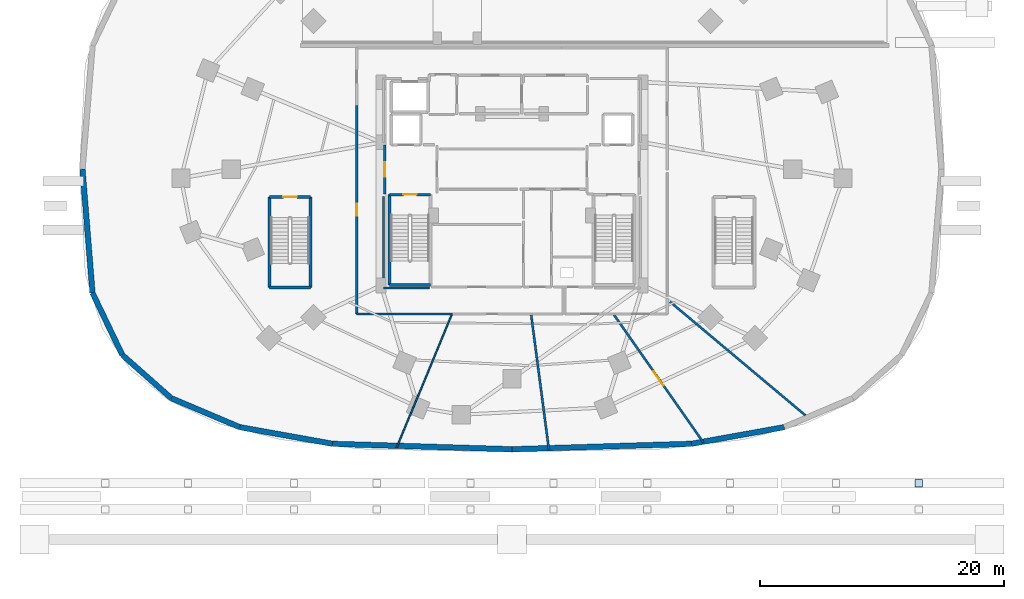
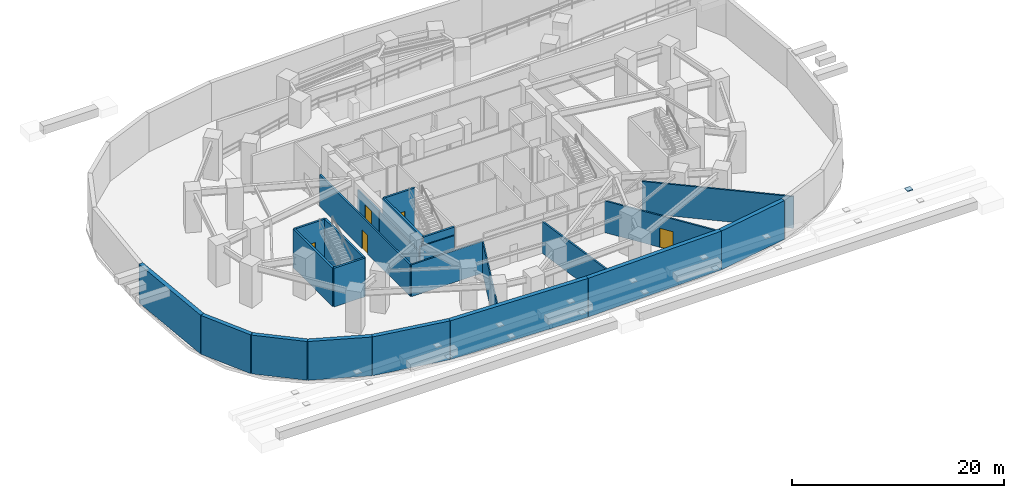
# One storey, part 3 of 8: 24 walls, 5 doors, 1 plate, 5 openings.
"""IFC4 building model written with IfcOpenShell, lengths in metres."""

from ifc_helpers import new_model, si_unit, direction, frame, frame_2d, origin, origin_2d, place, context, subcontext, project, spatial, rectangle, extrude, material, layer, layer_set, type_object, element, fill, save


model = new_model("IFC4")

# Units and contexts
model_context = context("Model", 3, precision=1e-05, world=origin(), true_north=direction((0.0, 1.0)))
body_context = subcontext(model_context, "Body", "Model", "MODEL_VIEW")
ifc_project = project(units=[si_unit("LENGTHUNIT", "METRE"), si_unit("AREAUNIT", "SQUARE_METRE"), si_unit("VOLUMEUNIT", "CUBIC_METRE"), si_unit("PLANEANGLEUNIT", "RADIAN"), si_unit("MASSUNIT", "GRAM", prefix="KILO")], contexts=[model_context])

# Site, building, storey
site_placement = place(None, origin())
site = spatial("IfcSite", under=ifc_project, at=site_placement, CompositionType="ELEMENT")
building_placement = place(site_placement, origin())
building = spatial("IfcBuilding", under=site, at=building_placement, Name="Vorneva Point Tower", CompositionType="ELEMENT")
storey_placement = place(building_placement, frame((0.0, 0.0, -4.800048828125)))
storey = spatial("IfcBuildingStorey", under=building, at=storey_placement, Name="B01", CompositionType="ELEMENT", Elevation=-4.800048828125)

# Plate
ifc_material_1 = material(Name="Steel S355", Category="steel")
ifc_layer_1 = layer(ifc_material_1, 0.02392578125)
ifc_layer_set_1 = layer_set([ifc_layer_1], Name="Steel S355")
plate_type = type_object("IfcPlateType", Name="PLT-CAP-EXT", PredefinedType="USERDEFINED", material=ifc_layer_set_1)
plate_placement = place(storey_placement, frame((71.39990234375, 0.199951171875, 4.5419921875), z_axis=(0.0, 0.0, 1.0), x_axis=(1.0, 0.0, 0.0)))
element("IfcPlate", 1, at=plate_placement, inside=storey, type_object=plate_type, Name="Waterfront Promenade Canopy CAN-05 Post 3 end closure plate 1", ObjectType="BASE PLATE", PredefinedType="USERDEFINED", context=body_context, shape_type="SweptSolid", body=[
    extrude(rectangle(XDim=0.60009765625, YDim=0.60009765625, at=origin_2d()), origin(), (0.0, 0.0, 1.0), 0.095947265625),
])

# Walls
ifc_material_2 = material(Name="Fire-rated acoustic gypsum stud partition", Category="gypsum")
ifc_layer_2 = layer(ifc_material_2, 0.125)
ifc_layer_set_2 = layer_set([ifc_layer_2], Name="Fire-rated acoustic gypsum stud partition")
wall_type_1 = type_object("IfcWallType", Name="WL-PART-125", PredefinedType="PARTITIONING", material=ifc_layer_set_2)
wall_1_placement = place(storey_placement, frame((28.513916015625, 3.097900390625, 0.0), z_axis=(0.0, 0.0, 1.0), x_axis=(0.382674084686, 0.923883404391, 0.0)))
element("IfcWall", 2, at=wall_1_placement, inside=storey, type_object=wall_type_1, Name="B01 Interior Partition 036", PredefinedType="PARTITIONING", context=body_context, shape_type="SweptSolid", body=[
    extrude(rectangle(XDim=11.90869140625, YDim=0.125, at=frame_2d((5.954345703125, 0.0))), origin(), (0.0, 0.0, 1.0), 3.652099609375),
])
ifc_layer_3 = layer(ifc_material_2, 0.139892578125)
ifc_layer_set_3 = layer_set([ifc_layer_3], Name="Fire-rated acoustic gypsum stud partition")
wall_type_2 = type_object("IfcWallType", Name="WL-PART-140", PredefinedType="PARTITIONING", material=ifc_layer_set_3)
wall_2_placement = place(storey_placement, frame((31.195068359375, 16.239990234375, 0.0), z_axis=(0.0, 0.0, 1.0), x_axis=(-1.0, 0.0, 0.0)))
element("IfcWall", 3, at=wall_2_placement, inside=storey, type_object=wall_type_2, Name="B01 Interior Closure Partition 054", PredefinedType="PARTITIONING", context=body_context, shape_type="SweptSolid", body=[
    extrude(rectangle(XDim=3.7451171875, YDim=0.139892578125, at=frame_2d((1.87255859375, 0.0))), origin(), (0.0, 0.0, 1.0), 3.652099609375),
])
wall_3_placement = place(storey_placement, frame((27.449951171875, 16.239990234375, 0.0), z_axis=(0.0, 0.0, 1.0), x_axis=(0.0, 1.0, 0.0)))
element("IfcWall", 4, at=wall_3_placement, inside=storey, type_object=wall_type_2, Name="B01 Interior Closure Partition 055", PredefinedType="PARTITIONING", context=body_context, shape_type="SweptSolid", body=[
    extrude(rectangle(XDim=7.513916015625, YDim=0.139892578125, at=frame_2d((3.7568359375, 0.0))), origin(), (0.0, 0.0, 1.0), 3.0400390625),
])

# Wall, opening, door
ifc_material_3 = material(Name="Autoclaved aerated concrete blockwork", Category="masonry")
ifc_layer_4 = layer(ifc_material_3, 0.179931640625)
ifc_layer_set_4 = layer_set([ifc_layer_4], Name="Autoclaved aerated concrete blockwork")
wall_type_3 = type_object("IfcWallType", Name="WL-PART-180", PredefinedType="PARTITIONING", material=ifc_layer_set_4)
wall_4_placement = place(storey_placement, frame((27.550048828125, 28.0, 0.0), z_axis=(0.0, 0.0, 1.0), x_axis=(0.0, -1.0, 0.0)))
wall_4 = element("IfcWall", 5, at=wall_4_placement, inside=storey, type_object=wall_type_3, Name="B01 Interior Partition 002", PredefinedType="PARTITIONING", context=body_context, shape_type="SweptSolid", body=[
    extrude(rectangle(XDim=4.050048828125, YDim=0.179931640625, at=frame_2d((2.02490234375, 0.0))), origin(), (0.0, 0.0, 1.0), 3.0400390625),
])
opening_1_placement = place(wall_4_placement, frame((1.425048828125, 0.0, 0.0)))
opening_1 = element("IfcOpeningElement", 6, at=opening_1_placement, cuts=wall_4, Name="Opening FD-02", PredefinedType="OPENING", context=body_context, shape_type="SweptSolid", body=[
    extrude(rectangle(XDim=1.199951171875, YDim=2.14990234375, at=frame_2d((0.60009765625, 1.074951171875))), frame((0.0, 0.10498046875, 0.0), z_axis=(0.0, -1.0, 0.0), x_axis=(1.0, 0.0, 0.0)), (0.0, 0.0, 1.0), 0.209716796875),
])
ifc_material_4 = material(Name="Fire-rated powder-coated steel", Category="steel")
door_type_1 = type_object("IfcDoorType", Name="DR-FFL-1200", OperationType="NOTDEFINED", PredefinedType="DOOR", material=ifc_material_4)
door_1_placement = place(opening_1_placement, origin())
door_1 = element("IfcDoor", 7, at=door_1_placement, inside=storey, type_object=door_type_1, Name="B01 Door West Firefighting Lobby / B01 Circulation Corridor", OperationType="SINGLE_SWING_RIGHT", OverallHeight=2.14990234375, OverallWidth=1.199951171875, PredefinedType="DOOR", context=body_context, shape_type="SweptSolid", body=[
    extrude(rectangle(XDim=1.199951171875, YDim=2.14990234375, at=frame_2d((0.60009765625, 1.074951171875))), frame((0.0, 0.02490234375, 0.0), z_axis=(0.0, -1.0, 0.0), x_axis=(1.0, 0.0, 0.0)), (0.0, 0.0, 1.0), 0.050048828125),
])
fill(opening_1, door_1)

wall_5_placement = place(storey_placement, frame((25.25, 31.220947265625, 0.0), z_axis=(0.0, 0.0, 1.0), x_axis=(0.0, -1.0, 0.0)))
wall_5 = element("IfcWall", 8, at=wall_5_placement, inside=storey, type_object=wall_type_3, Name="B01 Interior Partition 027", PredefinedType="PARTITIONING", context=body_context, shape_type="SweptSolid", body=[
    extrude(rectangle(XDim=17.120849609375, YDim=0.179931640625, at=frame_2d((8.560546875, 0.0))), origin(), (0.0, 0.0, 1.0), 3.652099609375),
])
opening_2_placement = place(wall_5_placement, frame((8.060546875, 0.0, 0.0)))
opening_2 = element("IfcOpeningElement", 9, at=opening_2_placement, cuts=wall_5, Name="Opening UD-01", PredefinedType="OPENING", context=body_context, shape_type="SweptSolid", body=[
    extrude(rectangle(XDim=1.0, YDim=2.14990234375, at=frame_2d((0.5, 1.074951171875))), frame((0.0, 0.10498046875, 0.0), z_axis=(0.0, -1.0, 0.0), x_axis=(1.0, 0.0, 0.0)), (0.0, 0.0, 1.0), 0.209716796875),
])
ifc_material_5 = material(Name="Engineered oak fire-rated door leaf", Category="wood")
door_type_2 = type_object("IfcDoorType", Name="DR-UNIT-1000", OperationType="NOTDEFINED", PredefinedType="DOOR", material=ifc_material_5)
door_2_placement = place(opening_2_placement, origin())
door_2 = element("IfcDoor", 10, at=door_2_placement, inside=storey, type_object=door_type_2, Name="B01 Door B01 Circulation Corridor / Parking Zone West", OperationType="SINGLE_SWING_RIGHT", OverallHeight=2.14990234375, OverallWidth=1.0, PredefinedType="DOOR", context=body_context, shape_type="SweptSolid", body=[
    extrude(rectangle(XDim=1.0, YDim=2.14990234375, at=frame_2d((0.5, 1.074951171875))), frame((0.0, 0.02490234375, 0.0), z_axis=(0.0, -1.0, 0.0), x_axis=(1.0, 0.0, 0.0)), (0.0, 0.0, 1.0), 0.050048828125),
])
fill(opening_2, door_2)

# Walls
wall_6_placement = place(storey_placement, frame((25.25, 14.10009765625, 0.0), z_axis=(0.0, 0.0, 1.0), x_axis=(1.0, 0.0, 0.0)))
element("IfcWall", 11, at=wall_6_placement, inside=storey, type_object=wall_type_3, Name="B01 Interior Partition 028", PredefinedType="PARTITIONING", context=body_context, shape_type="SweptSolid", body=[
    extrude(rectangle(XDim=7.881103515625, YDim=0.179931640625, at=frame_2d((3.9404296875, 0.0))), origin(), (0.0, 0.0, 1.0), 3.652099609375),
])
wall_7_placement = place(storey_placement, frame((41.031982421875, 2.966064453125, 0.0), z_axis=(0.0, 0.0, 1.0), x_axis=(-0.130461823369, 0.991453333568, 0.0)))
element("IfcWall", 12, at=wall_7_placement, inside=storey, type_object=wall_type_3, Name="B01 Interior Partition 037", PredefinedType="PARTITIONING", context=body_context, shape_type="SweptSolid", body=[
    extrude(rectangle(XDim=11.22998046875, YDim=0.179931640625, at=frame_2d((5.614990234375, 0.0))), origin(), (0.0, 0.0, 1.0), 3.652099609375),
])

# Wall, opening, door
wall_8_placement = place(storey_placement, frame((53.722900390625, 3.544921875, 0.0), z_axis=(0.0, 0.0, 1.0), x_axis=(-0.57357932605, 0.819150020892, 0.0)))
wall_8 = element("IfcWall", 13, at=wall_8_placement, inside=storey, type_object=wall_type_3, Name="B01 Interior Partition 038", PredefinedType="PARTITIONING", context=body_context, shape_type="SweptSolid", body=[
    extrude(rectangle(XDim=12.885498046875, YDim=0.179931640625, at=frame_2d((6.44287109375, 0.0))), origin(), (0.0, 0.0, 1.0), 3.652099609375),
])
opening_3_placement = place(wall_8_placement, frame((5.74267578125, 0.0, 0.0)))
opening_3 = element("IfcOpeningElement", 14, at=opening_3_placement, cuts=wall_8, Name="Opening FD-03", PredefinedType="OPENING", context=body_context, shape_type="SweptSolid", body=[
    extrude(rectangle(XDim=1.39990234375, YDim=2.199951171875, at=frame_2d((0.699951171875, 1.10009765625))), frame((0.0, 0.10498046875, 0.0), z_axis=(0.0, -1.0, 0.0), x_axis=(1.0, 0.0, 0.0)), (0.0, 0.0, 1.0), 0.209716796875),
])
door_type_3 = type_object("IfcDoorType", Name="DR-PLT-1400", OperationType="DOUBLE_SWING_LEFT", PredefinedType="DOOR", material=ifc_material_4)
door_3_placement = place(opening_3_placement, origin())
door_3 = element("IfcDoor", 15, at=door_3_placement, inside=storey, type_object=door_type_3, Name="B01 Door Sprinkler Pump and Water Tank Room / Substation and Switchgear Plant Room", OperationType="DOUBLE_SWING_LEFT", OverallHeight=2.199951171875, OverallWidth=1.39990234375, PredefinedType="DOOR", context=body_context, shape_type="SweptSolid", body=[
    extrude(rectangle(XDim=1.39990234375, YDim=2.199951171875, at=frame_2d((0.699951171875, 1.10009765625))), frame((0.0, 0.02490234375, 0.0), z_axis=(0.0, -1.0, 0.0), x_axis=(1.0, 0.0, 0.0)), (0.0, 0.0, 1.0), 0.050048828125),
])
fill(opening_3, door_3)

# Walls
wall_9_placement = place(storey_placement, frame((62.089111328125, 5.787109375, 0.0), z_axis=(0.0, 0.0, 1.0), x_axis=(-0.766085470344, 0.642738712175, 0.0)))
element("IfcWall", 16, at=wall_9_placement, inside=storey, type_object=wall_type_3, Name="B01 Interior Closure Partition 059", PredefinedType="PARTITIONING", context=body_context, shape_type="SweptSolid", body=[
    extrude(rectangle(XDim=14.51416015625, YDim=0.179931640625, at=frame_2d((7.257080078125, 0.0))), origin(), (0.0, 0.0, 1.0), 3.652099609375),
])
ifc_material_6 = material(Name="Concrete B60 (C50/60)", Category="concrete")
ifc_layer_5 = layer(ifc_material_6, 0.449951171875)
ifc_layer_set_5 = layer_set([ifc_layer_5], Name="Concrete B60 (C50/60)")
wall_type_4 = type_object("IfcWallType", Name="WL-RET-450", PredefinedType="SOLIDWALL", material=ifc_layer_set_5)
wall_10_placement = place(storey_placement, frame((2.728759765625, 26.0, 0.0), z_axis=(0.0, 0.0, 1.0), x_axis=(0.080835799126, -0.996727431939, 0.0)))
element("IfcWall", 17, at=wall_10_placement, inside=storey, type_object=wall_type_4, Name="B01 Perimeter Retaining Wall 13", PredefinedType="SOLIDWALL", context=body_context, shape_type="SweptSolid", body=[
    extrude(rectangle(XDim=10.1962890625, YDim=0.449951171875, at=frame_2d((5.09814453125, 0.0))), origin(), (0.0, 0.0, 1.0), 4.4599609375),
])
wall_11_placement = place(storey_placement, frame((3.552978515625, 15.837158203125, 0.0), z_axis=(0.0, 0.0, 1.0), x_axis=(0.433120243411, -0.901336149695, 0.0)))
element("IfcWall", 18, at=wall_11_placement, inside=storey, type_object=wall_type_4, Name="B01 Perimeter Retaining Wall 14", PredefinedType="SOLIDWALL", context=body_context, shape_type="SweptSolid", body=[
    extrude(rectangle(XDim=5.648681640625, YDim=0.449951171875, at=frame_2d((2.82421875, 0.0))), origin(), (0.0, 0.0, 1.0), 4.4599609375),
])
wall_12_placement = place(storey_placement, frame((5.99951171875, 10.745849609375, 0.0), z_axis=(0.0, 0.0, 1.0), x_axis=(0.749561336725, -0.661934892937, 0.0)))
element("IfcWall", 19, at=wall_12_placement, inside=storey, type_object=wall_type_4, Name="B01 Perimeter Retaining Wall 15", PredefinedType="SOLIDWALL", context=body_context, shape_type="SweptSolid", body=[
    extrude(rectangle(XDim=5.360595703125, YDim=0.449951171875, at=frame_2d((2.68017578125, 0.0))), origin(), (0.0, 0.0, 1.0), 4.4599609375),
])
wall_13_placement = place(storey_placement, frame((10.017578125, 7.197509765625, 0.0), z_axis=(0.0, 0.0, 1.0), x_axis=(0.92081090532, -0.390009328919, 0.0)))
element("IfcWall", 20, at=wall_13_placement, inside=storey, type_object=wall_type_4, Name="B01 Perimeter Retaining Wall 16", PredefinedType="SOLIDWALL", context=body_context, shape_type="SweptSolid", body=[
    extrude(rectangle(XDim=6.10205078125, YDim=0.449951171875, at=frame_2d((3.051025390625, 0.0))), origin(), (0.0, 0.0, 1.0), 4.4599609375),
])
wall_14_placement = place(storey_placement, frame((15.636474609375, 4.817626953125, 0.0), z_axis=(0.0, 0.0, 1.0), x_axis=(0.984238318617, -0.176847200051, 0.0)))
element("IfcWall", 21, at=wall_14_placement, inside=storey, type_object=wall_type_4, Name="B01 Perimeter Retaining Wall 17", PredefinedType="SOLIDWALL", context=body_context, shape_type="SweptSolid", body=[
    extrude(rectangle(XDim=7.748779296875, YDim=0.449951171875, at=frame_2d((3.87451171875, 0.0))), origin(), (0.0, 0.0, 1.0), 4.4599609375),
])
for number, where, z_axis, x_axis, name in (
    (22, (23.26318359375, 3.447265625, 0.0), (0.0, 0.0, 1.0), (0.999540251976, -0.030319707786, 0.0), "B01 Perimeter Retaining Wall 18"),
    (23, (38.0, 3.000244140625, 0.0), (0.0, 0.0, 1.0), (0.999540251976, 0.030319707786, 0.0), "B01 Perimeter Retaining Wall 19"),
):
    element("IfcWall", number, at=place(storey_placement, frame(where, z_axis=z_axis, x_axis=x_axis)), inside=storey, type_object=wall_type_4, Name=name, PredefinedType="SOLIDWALL", context=body_context, shape_type="SweptSolid", body=[
        extrude(rectangle(XDim=14.74365234375, YDim=0.449951171875, at=frame_2d((7.371826171875, 0.0))), origin(), (0.0, 0.0, 1.0), 4.4599609375),
    ])
wall_15_placement = place(storey_placement, frame((52.73681640625, 3.447265625, 0.0), z_axis=(0.0, 0.0, 1.0), x_axis=(0.984238318617, 0.176847200051, 0.0)))
element("IfcWall", 24, at=wall_15_placement, inside=storey, type_object=wall_type_4, Name="B01 Perimeter Retaining Wall 20", PredefinedType="SOLIDWALL", context=body_context, shape_type="SweptSolid", body=[
    extrude(rectangle(XDim=7.748779296875, YDim=0.449951171875, at=frame_2d((3.87451171875, 0.0))), origin(), (0.0, 0.0, 1.0), 4.4599609375),
])

# Wall, opening, door
ifc_material_7 = material(Name="Concrete B50 (C40/50)", Category="concrete")
ifc_layer_6 = layer(ifc_material_7, 0.219970703125)
ifc_layer_set_6 = layer_set([ifc_layer_6], Name="Concrete B50 (C40/50)")
wall_type_5 = type_object("IfcWallType", Name="WL-SHFT-220", PredefinedType="SOLIDWALL", material=ifc_layer_set_6)
wall_16_placement = place(storey_placement, frame((27.93994140625, 23.909912109375, 0.0), z_axis=(0.0, 0.0, 1.0), x_axis=(1.0, 0.0, 0.0)))
wall_16 = element("IfcWall", 25, at=wall_16_placement, inside=storey, type_object=wall_type_5, Name="B01 Exit Stair ST1 Shaft Wall near", PredefinedType="SOLIDWALL", context=body_context, shape_type="SweptSolid", body=[
    extrude(rectangle(XDim=3.3701171875, YDim=0.219970703125, at=frame_2d((1.68505859375, 0.0))), origin(), (0.0, 0.0, 1.0), 4.4599609375),
])
opening_4_placement = place(wall_16_placement, frame((1.135009765625, 0.0, 0.0)))
opening_4 = element("IfcOpeningElement", 26, at=opening_4_placement, cuts=wall_16, Name="Opening FD-01", PredefinedType="OPENING", context=body_context, shape_type="SweptSolid", body=[
    extrude(rectangle(XDim=1.10009765625, YDim=2.14990234375, at=frame_2d((0.550048828125, 1.074951171875))), frame((0.0, 0.125, 0.0), z_axis=(0.0, -1.0, 0.0), x_axis=(1.0, 0.0, 0.0)), (0.0, 0.0, 1.0), 0.249755859375),
])
door_type_4 = type_object("IfcDoorType", Name="DR-STAIR-1100", OperationType="NOTDEFINED", PredefinedType="DOOR", material=ifc_material_4)
door_4_placement = place(opening_4_placement, origin())
door_4 = element("IfcDoor", 27, at=door_4_placement, inside=storey, type_object=door_type_4, Name="B01 Exit Stair ST1 Fire Door", OperationType="SINGLE_SWING_LEFT", OverallHeight=2.14990234375, OverallWidth=1.10009765625, PredefinedType="DOOR", context=body_context, shape_type="SweptSolid", body=[
    extrude(rectangle(XDim=1.10009765625, YDim=2.14990234375, at=frame_2d((0.550048828125, 1.074951171875))), frame((0.0, 0.02490234375, 0.0), z_axis=(0.0, -1.0, 0.0), x_axis=(1.0, 0.0, 0.0)), (0.0, 0.0, 1.0), 0.050048828125),
])
fill(opening_4, door_4)

# Walls
wall_17_placement = place(storey_placement, frame((31.31005859375, 16.489990234375, 0.0), z_axis=(0.0, 0.0, 1.0), x_axis=(-1.0, 0.0, 0.0)))
element("IfcWall", 28, at=wall_17_placement, inside=storey, type_object=wall_type_5, Name="B01 Exit Stair ST1 Shaft Wall far", PredefinedType="SOLIDWALL", context=body_context, shape_type="SweptSolid", body=[
    extrude(rectangle(XDim=3.3701171875, YDim=0.219970703125, at=frame_2d((1.68505859375, 0.0))), origin(), (0.0, 0.0, 1.0), 4.4599609375),
])
wall_18_placement = place(storey_placement, frame((27.93994140625, 16.489990234375, 0.0), z_axis=(0.0, 0.0, 1.0), x_axis=(0.0, 1.0, 0.0)))
element("IfcWall", 29, at=wall_18_placement, inside=storey, type_object=wall_type_5, Name="B01 Exit Stair ST1 Shaft Wall left", PredefinedType="SOLIDWALL", context=body_context, shape_type="SweptSolid", body=[
    extrude(rectangle(XDim=7.419921875, YDim=0.219970703125, at=frame_2d((3.7099609375, 0.0))), origin(), (0.0, 0.0, 1.0), 4.4599609375),
])

# Wall, opening, door
wall_19_placement = place(storey_placement, frame((18.090087890625, 23.7099609375, 0.0), z_axis=(0.0, 0.0, 1.0), x_axis=(1.0, 0.0, 0.0)))
wall_19 = element("IfcWall", 30, at=wall_19_placement, inside=storey, type_object=wall_type_5, Name="B01 Exit Stair ST3 Shaft Wall near", PredefinedType="SOLIDWALL", context=body_context, shape_type="SweptSolid", body=[
    extrude(rectangle(XDim=3.369873046875, YDim=0.219970703125, at=frame_2d((1.68505859375, 0.0))), origin(), (0.0, 0.0, 1.0), 4.4599609375),
])
opening_5_placement = place(wall_19_placement, frame((1.135009765625, 0.0, 0.0)))
opening_5 = element("IfcOpeningElement", 31, at=opening_5_placement, cuts=wall_19, Name="Opening FD-01", PredefinedType="OPENING", context=body_context, shape_type="SweptSolid", body=[
    extrude(rectangle(XDim=1.10009765625, YDim=2.14990234375, at=frame_2d((0.550048828125, 1.074951171875))), frame((0.0, 0.125, 0.0), z_axis=(0.0, -1.0, 0.0), x_axis=(1.0, 0.0, 0.0)), (0.0, 0.0, 1.0), 0.249755859375),
])
door_5_placement = place(opening_5_placement, origin())
door_5 = element("IfcDoor", 32, at=door_5_placement, inside=storey, type_object=door_type_4, Name="B01 Exit Stair ST3 Fire Door", OperationType="SINGLE_SWING_LEFT", OverallHeight=2.14990234375, OverallWidth=1.10009765625, PredefinedType="DOOR", context=body_context, shape_type="SweptSolid", body=[
    extrude(rectangle(XDim=1.10009765625, YDim=2.14990234375, at=frame_2d((0.550048828125, 1.074951171875))), frame((0.0, 0.02490234375, 0.0), z_axis=(0.0, -1.0, 0.0), x_axis=(1.0, 0.0, 0.0)), (0.0, 0.0, 1.0), 0.050048828125),
])
fill(opening_5, door_5)

# Walls
wall_20_placement = place(storey_placement, frame((21.4599609375, 23.7099609375, 0.0), z_axis=(0.0, 0.0, 1.0), x_axis=(0.0, -1.0, 0.0)))
element("IfcWall", 33, at=wall_20_placement, inside=storey, type_object=wall_type_5, Name="B01 Exit Stair ST3 Shaft Wall right", PredefinedType="SOLIDWALL", context=body_context, shape_type="SweptSolid", body=[
    extrude(rectangle(XDim=7.419921875, YDim=0.219970703125, at=frame_2d((3.7099609375, 0.0))), origin(), (0.0, 0.0, 1.0), 4.4599609375),
])
wall_21_placement = place(storey_placement, frame((21.4599609375, 16.2900390625, 0.0), z_axis=(0.0, 0.0, 1.0), x_axis=(-1.0, 0.0, 0.0)))
element("IfcWall", 34, at=wall_21_placement, inside=storey, type_object=wall_type_5, Name="B01 Exit Stair ST3 Shaft Wall far", PredefinedType="SOLIDWALL", context=body_context, shape_type="SweptSolid", body=[
    extrude(rectangle(XDim=3.369873046875, YDim=0.219970703125, at=frame_2d((1.68505859375, 0.0))), origin(), (0.0, 0.0, 1.0), 4.4599609375),
])
wall_22_placement = place(storey_placement, frame((18.090087890625, 16.2900390625, 0.0), z_axis=(0.0, 0.0, 1.0), x_axis=(0.0, 1.0, 0.0)))
element("IfcWall", 35, at=wall_22_placement, inside=storey, type_object=wall_type_5, Name="B01 Exit Stair ST3 Shaft Wall left", PredefinedType="SOLIDWALL", context=body_context, shape_type="SweptSolid", body=[
    extrude(rectangle(XDim=7.419921875, YDim=0.219970703125, at=frame_2d((3.7099609375, 0.0))), origin(), (0.0, 0.0, 1.0), 4.4599609375),
])

save(model, "model.ifc")
